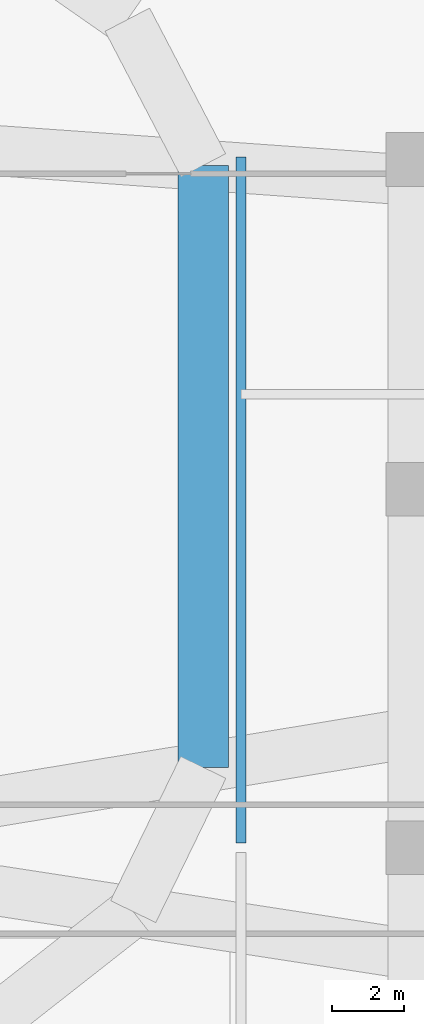
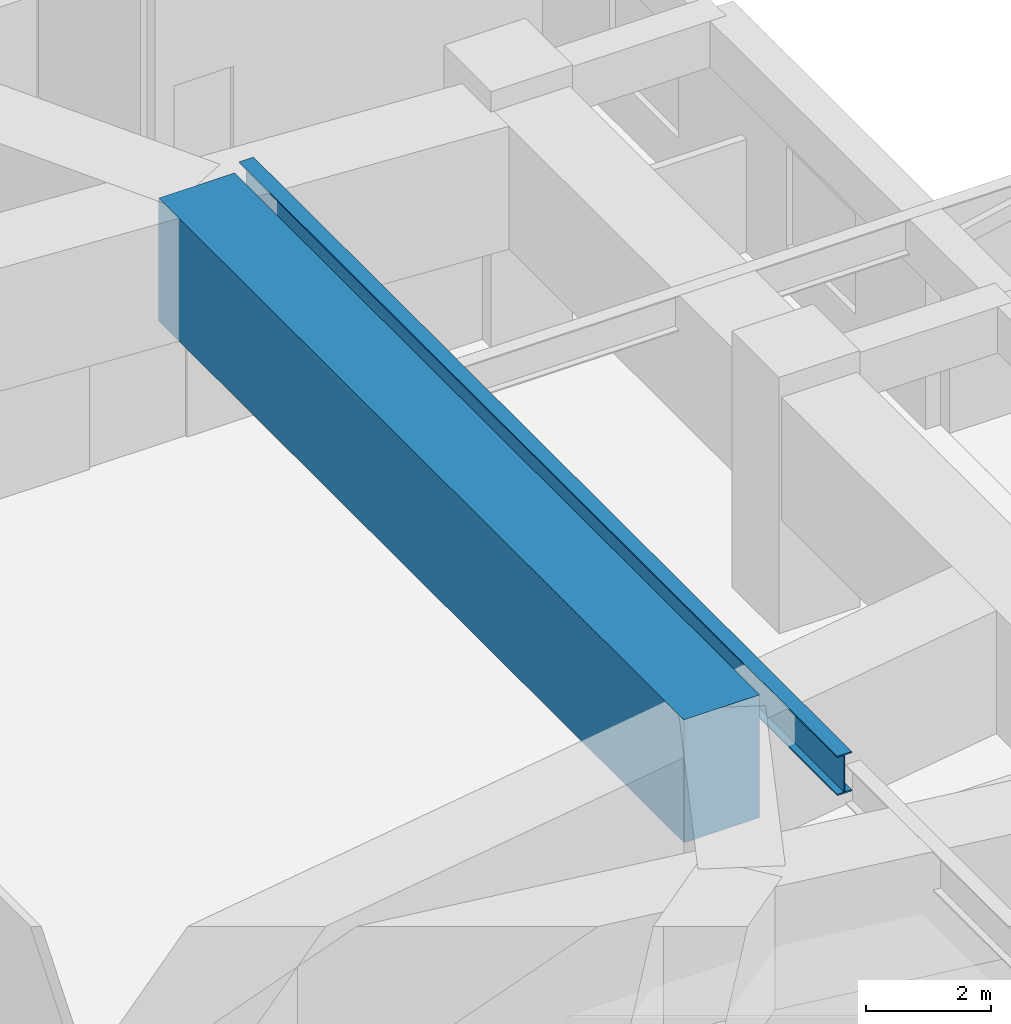
# One storey, part 13 of 26: 2 beams.
"""IFC4 building model written with IfcOpenShell, lengths in metres."""

from ifc_helpers import new_model, si_unit, direction, frame, origin, origin_2d, place, context, subcontext, project, spatial, rectangle, i_section, extrude, material, material_profile, profile_set, type_object, element, save


model = new_model("IFC4")

# Units and contexts
model_context = context("Model", 3, precision=1e-05, world=origin(), true_north=direction((0.0, 1.0)))
body_context = subcontext(model_context, "Body", "Model", "MODEL_VIEW")
ifc_project = project(units=[si_unit("LENGTHUNIT", "METRE"), si_unit("AREAUNIT", "SQUARE_METRE"), si_unit("VOLUMEUNIT", "CUBIC_METRE"), si_unit("PLANEANGLEUNIT", "RADIAN"), si_unit("MASSUNIT", "GRAM", prefix="KILO")], contexts=[model_context])

# Site, building, storey
site_placement = place(None, origin())
site = spatial("IfcSite", under=ifc_project, at=site_placement, CompositionType="ELEMENT")
building_placement = place(site_placement, origin())
building = spatial("IfcBuilding", under=site, at=building_placement, Name="Zulverin Broadcast Headquarters", CompositionType="ELEMENT")
storey_placement = place(building_placement, frame((0.0, 0.0, 20.0)))
storey = spatial("IfcBuildingStorey", under=building, at=storey_placement, Name="L04", CompositionType="ELEMENT", Elevation=20.0)

# Beams
ifc_material_1 = material(Name="Concrete C60/75", Category="concrete")
ifc_material_profile_1 = material_profile(ifc_material_1, rectangle(XDim=1.39990234375, YDim=2.39990234375, at=origin_2d()), Name="Concrete C60/75", Category="concrete")
ifc_profile_set_1 = profile_set([ifc_material_profile_1], Name="Concrete C60/75")
beam_type_1 = type_object("IfcBeamType", Name="BM-TG-1400x2400", PredefinedType="USERDEFINED", material=ifc_profile_set_1)
beam_1_placement = place(storey_placement, frame((63.75, 17.439697265625, 3.39990234375), z_axis=(0.0, 1.0, 0.0), x_axis=(-1.0, 0.0, 0.0)))
element("IfcBeam", 1, at=beam_1_placement, inside=storey, type_object=beam_type_1, Name="L05 Tower Base Transfer Ring Girder TGR-05", ObjectType="TRANSFER GIRDER", PredefinedType="USERDEFINED", context=body_context, shape_type="SweptSolid", body=[
    extrude(rectangle(XDim=1.39990234375, YDim=2.39990234375, at=origin_2d()), origin(), (0.0, 0.0, 1.0), 16.79541015625),
])
ifc_material_2 = material(Name="Structural steel S355JR", Category="steel")
ifc_material_profile_2 = material_profile(ifc_material_2, i_section(OverallWidth=0.26806640625, OverallDepth=0.769775390625, WebThickness=0.015625, FlangeThickness=0.025390625, at=origin_2d()), Name="Structural steel S355JR", Category="steel")
ifc_profile_set_2 = profile_set([ifc_material_profile_2], Name="Structural steel S355JR")
beam_type_2 = type_object("IfcBeamType", Name="BM-UB-762", PredefinedType="BEAM", material=ifc_profile_set_2)
beam_2_placement = place(storey_placement, frame((64.800048828125, 15.333984375, 4.215087890625), z_axis=(0.0, 1.0, 0.0), x_axis=(-1.0, 0.0, 0.0)))
element("IfcBeam", 2, at=beam_2_placement, inside=storey, type_object=beam_type_2, Name="L04 East Back-Span Anchor Beam ESBA-2", PredefinedType="BEAM", context=body_context, shape_type="SweptSolid", body=[
    extrude(i_section(OverallWidth=0.26806640625, OverallDepth=0.769775390625, WebThickness=0.015625, FlangeThickness=0.025390625, at=origin_2d()), origin(), (0.0, 0.0, 1.0), 19.1298828125),
])

save(model, "model.ifc")
